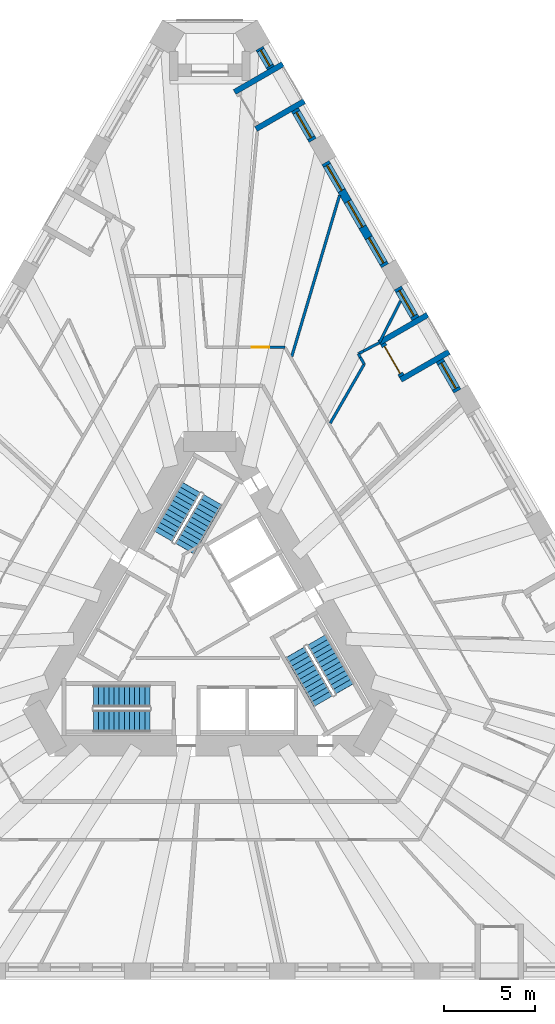
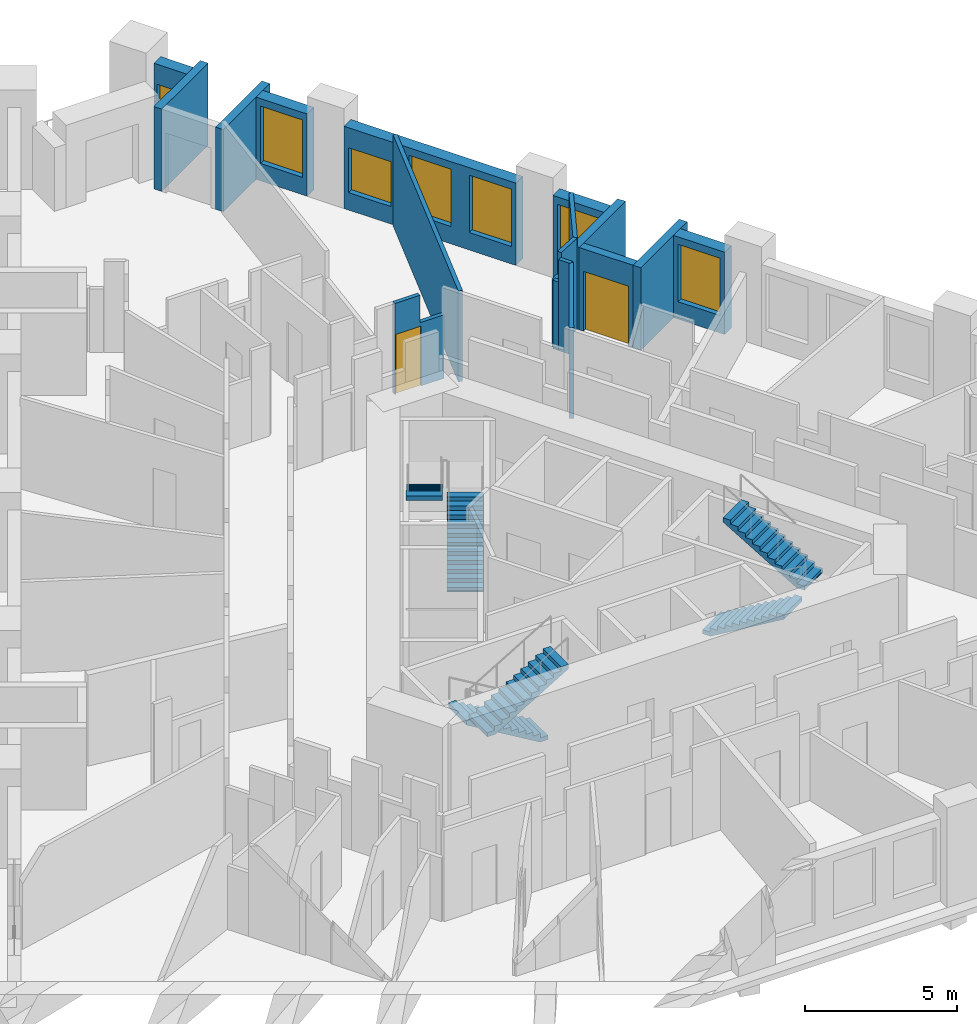
# One storey, part 10 of 14: 18 walls, 7 windows, 6 stair flights, 2 doors, 9 openings, 3 elements without a shape of their own.
"""IFC4 building model written with IfcOpenShell, lengths in metres."""

from ifc_helpers import new_model, si_unit, direction, frame, frame_2d, origin, place, context, subcontext, project, spatial, polyline, rectangle, outline, extrude, material, layer, layer_set, type_object, element, fill, aggregate, save


model = new_model("IFC4")

# Units and contexts
model_context = context("Model", 3, precision=1e-05, world=origin(), true_north=direction((0.0, 1.0)))
body_context = subcontext(model_context, "Body", "Model", "MODEL_VIEW")
ifc_project = project(units=[si_unit("LENGTHUNIT", "METRE"), si_unit("AREAUNIT", "SQUARE_METRE"), si_unit("VOLUMEUNIT", "CUBIC_METRE"), si_unit("PLANEANGLEUNIT", "RADIAN"), si_unit("MASSUNIT", "GRAM", prefix="KILO")], contexts=[model_context])

# Site, building, storey
site_placement = place(None, origin())
site = spatial("IfcSite", under=ifc_project, at=site_placement, CompositionType="ELEMENT")
building_placement = place(site_placement, origin())
building = spatial("IfcBuilding", under=site, at=building_placement, Name="Tramontana Tower", CompositionType="ELEMENT")
storey_placement = place(building_placement, frame((0.0, 0.0, 34.0)))
storey = spatial("IfcBuildingStorey", under=building, at=storey_placement, Name="L06", CompositionType="ELEMENT", Elevation=34.0)

# Wall, opening, window
ifc_material_1 = material(Name="Precast concrete 60 MPa", Category="concrete")
ifc_layer_1 = layer(ifc_material_1, 0.449951171875)
ifc_layer_set_1 = layer_set([ifc_layer_1], Name="Precast concrete 60 MPa, 450 mm")
wall_type_1 = type_object("IfcWallType", Name="EW1 Stone-faced precast wall 450", PredefinedType="SOLIDWALL", material=ifc_layer_set_1)
wall_1_placement = place(storey_placement, frame((13.54052734375, 13.197265625, 0.0), z_axis=(0.0, 0.0, 1.0), x_axis=(-0.500038474733, 0.866003189247, 0.0)))
wall_1 = element("IfcWall", 1, at=wall_1_placement, inside=storey, type_object=wall_type_1, Name="External wall L06 face 2 bay 5", PredefinedType="SOLIDWALL", context=body_context, shape_type="SweptSolid", body=[
    extrude(rectangle(XDim=1.939208984375, YDim=0.449951171875, at=frame_2d((0.9697265625, 0.0))), origin(), (0.0, 0.0, 1.0), 3.300048828125),
])
opening_1_placement = place(wall_1_placement, frame((0.169677734375, 0.0, 0.699951171875)))
opening_1 = element("IfcOpeningElement", 2, at=opening_1_placement, cuts=wall_1, Name="Opening M1", PredefinedType="OPENING", context=body_context, shape_type="SweptSolid", body=[
    extrude(rectangle(XDim=1.60009765625, YDim=2.300048828125, at=frame_2d((0.800048828125, 1.14990234375))), frame((0.0, 0.23486328125, 0.0), z_axis=(0.0, -1.0, 0.0), x_axis=(1.0, 0.0, 0.0)), (0.0, 0.0, 1.0), 0.469970703125),
])
ifc_material_2 = material(Name="Aluminum frame, double glazing unit", Category="aluminium")
window_type_1 = type_object("IfcWindowType", Name="M1 Window 1.6 x 2.3", PartitioningType="SINGLE_PANEL", PredefinedType="WINDOW", material=ifc_material_2)
window_1_placement = place(opening_1_placement, origin())
window_1 = element("IfcWindow", 3, at=window_1_placement, inside=storey, type_object=window_type_1, Name="Window M1 L06 face 2 module 13", OverallHeight=2.300048828125, OverallWidth=1.60009765625, PartitioningType="SINGLE_PANEL", PredefinedType="WINDOW", context=body_context, shape_type="SweptSolid", body=[
    extrude(rectangle(XDim=1.60009765625, YDim=2.300048828125, at=frame_2d((0.800048828125, 1.14990234375))), frame((0.0, 0.030029296875, 0.0), z_axis=(0.0, -1.0, 0.0), x_axis=(1.0, 0.0, 0.0)), (0.0, 0.0, 1.0), 0.06005859375),
])
fill(opening_1, window_1)

wall_2_placement = place(storey_placement, frame((11.251220703125, 17.16259765625, 0.0), z_axis=(0.0, 0.0, 1.0), x_axis=(-0.500038474733, 0.866003189247, 0.0)))
wall_2 = element("IfcWall", 4, at=wall_2_placement, inside=storey, type_object=wall_type_1, Name="External wall L06 face 2 bay 5", PredefinedType="SOLIDWALL", context=body_context, shape_type="SweptSolid", body=[
    extrude(rectangle(XDim=1.939208984375, YDim=0.449951171875, at=frame_2d((0.9697265625, 0.0))), origin(), (0.0, 0.0, 1.0), 3.300048828125),
])
opening_2_placement = place(wall_2_placement, frame((0.169677734375, 0.0, 0.699951171875)))
opening_2 = element("IfcOpeningElement", 5, at=opening_2_placement, cuts=wall_2, Name="Opening M1", PredefinedType="OPENING", context=body_context, shape_type="SweptSolid", body=[
    extrude(rectangle(XDim=1.60009765625, YDim=2.300048828125, at=frame_2d((0.800048828125, 1.14990234375))), frame((0.0, 0.23486328125, 0.0), z_axis=(0.0, -1.0, 0.0), x_axis=(1.0, 0.0, 0.0)), (0.0, 0.0, 1.0), 0.469970703125),
])
window_2_placement = place(opening_2_placement, origin())
window_2 = element("IfcWindow", 6, at=window_2_placement, inside=storey, type_object=window_type_1, Name="Window M1 L06 face 2 module 15", OverallHeight=2.300048828125, OverallWidth=1.60009765625, PartitioningType="SINGLE_PANEL", PredefinedType="WINDOW", context=body_context, shape_type="SweptSolid", body=[
    extrude(rectangle(XDim=1.60009765625, YDim=2.300048828125, at=frame_2d((0.800048828125, 1.14990234375))), frame((0.0, 0.030029296875, 0.0), z_axis=(0.0, -1.0, 0.0), x_axis=(1.0, 0.0, 0.0)), (0.0, 0.0, 1.0), 0.06005859375),
])
fill(opening_2, window_2)

# Wall, openings, windows
wall_3_placement = place(storey_placement, frame((9.58154296875, 20.054443359375, 0.0), z_axis=(0.0, 0.0, 1.0), x_axis=(-0.500002371706, 0.866024034475, 0.0)))
wall_3 = element("IfcWall", 7, at=wall_3_placement, inside=storey, type_object=wall_type_1, Name="External wall L06 face 2 bay 6", PredefinedType="SOLIDWALL", context=body_context, shape_type="SweptSolid", body=[
    extrude(rectangle(XDim=6.51806640625, YDim=0.449951171875, at=frame_2d((3.259033203125, 0.0))), origin(), (0.0, 0.0, 1.0), 3.300048828125),
])
opening_3_placement = place(wall_3_placement, frame((0.169677734375, 0.0, 0.699951171875)))
opening_3 = element("IfcOpeningElement", 8, at=opening_3_placement, cuts=wall_3, Name="Opening M1", PredefinedType="OPENING", context=body_context, shape_type="SweptSolid", body=[
    extrude(rectangle(XDim=1.60009765625, YDim=2.300048828125, at=frame_2d((0.800048828125, 1.14990234375))), frame((0.0, 0.23486328125, 0.0), z_axis=(0.0, -1.0, 0.0), x_axis=(1.0, 0.0, 0.0)), (0.0, 0.0, 1.0), 0.469970703125),
])
opening_4_placement = place(wall_3_placement, frame((2.458984375, 0.0, 0.699951171875)))
opening_4 = element("IfcOpeningElement", 9, at=opening_4_placement, cuts=wall_3, Name="Opening M1", PredefinedType="OPENING", context=body_context, shape_type="SweptSolid", body=[
    extrude(rectangle(XDim=1.60009765625, YDim=2.300048828125, at=frame_2d((0.800048828125, 1.14990234375))), frame((0.0, 0.23486328125, 0.0), z_axis=(0.0, -1.0, 0.0), x_axis=(1.0, 0.0, 0.0)), (0.0, 0.0, 1.0), 0.469970703125),
])
opening_5_placement = place(wall_3_placement, frame((4.748291015625, 0.0, 0.699951171875)))
opening_5 = element("IfcOpeningElement", 10, at=opening_5_placement, cuts=wall_3, Name="Opening M1L", PredefinedType="OPENING", context=body_context, shape_type="SweptSolid", body=[
    extrude(rectangle(XDim=1.60009765625, YDim=1.800048828125, at=frame_2d((0.800048828125, 0.89990234375))), frame((0.0, 0.23486328125, 0.0), z_axis=(0.0, -1.0, 0.0), x_axis=(1.0, 0.0, 0.0)), (0.0, 0.0, 1.0), 0.469970703125),
])
window_3_placement = place(opening_3_placement, origin())
window_3 = element("IfcWindow", 11, at=window_3_placement, inside=storey, type_object=window_type_1, Name="Window M1 L06 face 2 module 16", OverallHeight=2.300048828125, OverallWidth=1.60009765625, PartitioningType="SINGLE_PANEL", PredefinedType="WINDOW", context=body_context, shape_type="SweptSolid", body=[
    extrude(rectangle(XDim=1.60009765625, YDim=2.300048828125, at=frame_2d((0.800048828125, 1.14990234375))), frame((0.0, 0.030029296875, 0.0), z_axis=(0.0, -1.0, 0.0), x_axis=(1.0, 0.0, 0.0)), (0.0, 0.0, 1.0), 0.06005859375),
])
fill(opening_3, window_3)
window_4_placement = place(opening_4_placement, origin())
window_4 = element("IfcWindow", 12, at=window_4_placement, inside=storey, type_object=window_type_1, Name="Window M1 L06 face 2 module 17", OverallHeight=2.300048828125, OverallWidth=1.60009765625, PartitioningType="SINGLE_PANEL", PredefinedType="WINDOW", context=body_context, shape_type="SweptSolid", body=[
    extrude(rectangle(XDim=1.60009765625, YDim=2.300048828125, at=frame_2d((0.800048828125, 1.14990234375))), frame((0.0, 0.030029296875, 0.0), z_axis=(0.0, -1.0, 0.0), x_axis=(1.0, 0.0, 0.0)), (0.0, 0.0, 1.0), 0.06005859375),
])
fill(opening_4, window_4)
ifc_material_3 = material(Name="Aluminum frame, double glazing unit", Category="aluminium")
window_type_2 = type_object("IfcWindowType", Name="M1L Window 1.6 x 1.8", PartitioningType="SINGLE_PANEL", PredefinedType="WINDOW", material=ifc_material_3)
window_5_placement = place(opening_5_placement, origin())
window_5 = element("IfcWindow", 13, at=window_5_placement, inside=storey, type_object=window_type_2, Name="Window M1L L06 face 2 module 18", OverallHeight=1.800048828125, OverallWidth=1.60009765625, PartitioningType="SINGLE_PANEL", PredefinedType="WINDOW", context=body_context, shape_type="SweptSolid", body=[
    extrude(rectangle(XDim=1.60009765625, YDim=1.800048828125, at=frame_2d((0.800048828125, 0.89990234375))), frame((0.0, 0.030029296875, 0.0), z_axis=(0.0, -1.0, 0.0), x_axis=(1.0, 0.0, 0.0)), (0.0, 0.0, 1.0), 0.06005859375),
])
fill(opening_5, window_5)

# Wall, opening, window
wall_4_placement = place(storey_placement, frame((5.62255859375, 26.91162109375, 0.0), z_axis=(0.0, 0.0, 1.0), x_axis=(-0.500038474733, 0.866003189247, 0.0)))
wall_4 = element("IfcWall", 14, at=wall_4_placement, inside=storey, type_object=wall_type_1, Name="External wall L06 face 2 bay 7", PredefinedType="SOLIDWALL", context=body_context, shape_type="SweptSolid", body=[
    extrude(rectangle(XDim=1.939208984375, YDim=0.449951171875, at=frame_2d((0.9697265625, 0.0))), origin(), (0.0, 0.0, 1.0), 3.300048828125),
])
opening_6_placement = place(wall_4_placement, frame((0.169677734375, 0.0, 0.699951171875)))
opening_6 = element("IfcOpeningElement", 15, at=opening_6_placement, cuts=wall_4, Name="Opening M1", PredefinedType="OPENING", context=body_context, shape_type="SweptSolid", body=[
    extrude(rectangle(XDim=1.60009765625, YDim=2.300048828125, at=frame_2d((0.800048828125, 1.14990234375))), frame((0.0, 0.23486328125, 0.0), z_axis=(0.0, -1.0, 0.0), x_axis=(1.0, 0.0, 0.0)), (0.0, 0.0, 1.0), 0.469970703125),
])
window_6_placement = place(opening_6_placement, origin())
window_6 = element("IfcWindow", 16, at=window_6_placement, inside=storey, type_object=window_type_1, Name="Window M1 L06 face 2 module 19", OverallHeight=2.300048828125, OverallWidth=1.60009765625, PartitioningType="SINGLE_PANEL", PredefinedType="WINDOW", context=body_context, shape_type="SweptSolid", body=[
    extrude(rectangle(XDim=1.60009765625, YDim=2.300048828125, at=frame_2d((0.800048828125, 1.14990234375))), frame((0.0, 0.030029296875, 0.0), z_axis=(0.0, -1.0, 0.0), x_axis=(1.0, 0.0, 0.0)), (0.0, 0.0, 1.0), 0.06005859375),
])
fill(opening_6, window_6)

wall_5_placement = place(storey_placement, frame((3.333251953125, 30.876708984375, 0.0), z_axis=(0.0, 0.0, 1.0), x_axis=(-0.499995303914, 0.866028115054, 0.0)))
wall_5 = element("IfcWall", 17, at=wall_5_placement, inside=storey, type_object=wall_type_1, Name="External wall L06 face 2 bay 7", PredefinedType="SOLIDWALL", context=body_context, shape_type="SweptSolid", body=[
    extrude(rectangle(XDim=1.2392578125, YDim=0.449951171875, at=frame_2d((0.61962890625, 0.0))), origin(), (0.0, 0.0, 1.0), 3.300048828125),
])
opening_7_placement = place(wall_5_placement, frame((0.11962890625, 0.0, 0.699951171875)))
opening_7 = element("IfcOpeningElement", 18, at=opening_7_placement, cuts=wall_5, Name="Opening N1L", PredefinedType="OPENING", context=body_context, shape_type="SweptSolid", body=[
    extrude(rectangle(XDim=1.0, YDim=1.800048828125, at=frame_2d((0.5, 0.89990234375))), frame((0.0, 0.23486328125, 0.0), z_axis=(0.0, -1.0, 0.0), x_axis=(1.0, 0.0, 0.0)), (0.0, 0.0, 1.0), 0.469970703125),
])
ifc_material_4 = material(Name="Aluminum frame, double glazing unit", Category="aluminium")
window_type_3 = type_object("IfcWindowType", Name="N1L Window 1 x 1.8", PartitioningType="SINGLE_PANEL", PredefinedType="WINDOW", material=ifc_material_4)
window_7_placement = place(opening_7_placement, origin())
window_7 = element("IfcWindow", 19, at=window_7_placement, inside=storey, type_object=window_type_3, Name="Window N1L L06 face 2 module 21", OverallHeight=1.800048828125, OverallWidth=1.0, PartitioningType="SINGLE_PANEL", PredefinedType="WINDOW", context=body_context, shape_type="SweptSolid", body=[
    extrude(rectangle(XDim=1.0, YDim=1.800048828125, at=frame_2d((0.5, 0.89990234375))), frame((0.0, 0.030029296875, 0.0), z_axis=(0.0, -1.0, 0.0), x_axis=(1.0, 0.0, 0.0)), (0.0, 0.0, 1.0), 0.06005859375),
])
fill(opening_7, window_7)

# Wall, opening, door
ifc_material_5 = material(Name="Precast concrete 60 MPa", Category="concrete")
ifc_layer_2 = layer(ifc_material_5, 0.300048828125)
ifc_layer_set_2 = layer_set([ifc_layer_2], Name="LW1 Stone-faced loggia wall 300")
wall_type_2 = type_object("IfcWallType", Name="LW1 Stone-faced loggia wall 300", PredefinedType="SOLIDWALL", material=ifc_layer_set_2)
wall_6_placement = place(storey_placement, frame((10.493896484375, 14.024169921875, 0.0), z_axis=(0.0, 0.0, 1.0), x_axis=(-0.500040236659, 0.866002171892, 0.0)))
wall_6 = element("IfcWall", 20, at=wall_6_placement, inside=storey, type_object=wall_type_2, Name="Loggia wall L06 G0S2.13", PredefinedType="SOLIDWALL", context=body_context, shape_type="SweptSolid", body=[
    extrude(rectangle(XDim=2.039306640625, YDim=0.300048828125, at=frame_2d((1.01953125, 0.0))), origin(), (0.0, 0.0, 1.0), 3.300048828125),
])
opening_8_placement = place(wall_6_placement, frame((0.169677734375, 0.0, 0.0)))
opening_8 = element("IfcOpeningElement", 21, at=opening_8_placement, cuts=wall_6, Name="Opening BD-0S2-13", PredefinedType="OPENING", context=body_context, shape_type="SweptSolid", body=[
    extrude(rectangle(XDim=1.699951171875, YDim=2.39990234375, at=frame_2d((0.85009765625, 1.199951171875))), frame((0.0, 0.159912109375, 0.0), z_axis=(0.0, -1.0, 0.0), x_axis=(1.0, 0.0, 0.0)), (0.0, 0.0, 1.0), 0.320068359375),
])
ifc_material_6 = material(Name="Aluminum frame, double glazing unit", Category="aluminium")
door_type_1 = type_object("IfcDoorType", Name="BD1 Sliding door 1.7 x 2.4", OperationType="SLIDING_TO_LEFT", PredefinedType="DOOR", material=ifc_material_6)
door_1_placement = place(opening_8_placement, origin())
door_1 = element("IfcDoor", 22, at=door_1_placement, inside=storey, type_object=door_type_1, Name="Loggia door L06 G0S2.13", OperationType="SLIDING_TO_LEFT", OverallHeight=2.39990234375, OverallWidth=1.699951171875, PredefinedType="DOOR", context=body_context, shape_type="SweptSolid", body=[
    extrude(rectangle(XDim=1.699951171875, YDim=2.39990234375, at=frame_2d((0.85009765625, 1.199951171875))), frame((0.0, 0.02490234375, 0.0), z_axis=(0.0, -1.0, 0.0), x_axis=(1.0, 0.0, 0.0)), (0.0, 0.0, 1.0), 0.050048828125),
])
fill(opening_8, door_1)

# Walls
for number, where, z_axis, x_axis, name in (
    (23, (13.080322265625, 15.34423828125, 0.0), (0.0, 0.0, 1.0), (-0.8660029625, -0.500038867431, 0.0), "Loggia return L06 G0S2.13a"),
    (24, (11.91064453125, 17.3701171875, 0.0), (0.0, 0.0, 1.0), (-0.866037623948, -0.499978833458, 0.0), "Loggia return L06 G0S2.13b"),
    (25, (5.162353515625, 29.05859375, 0.0), (0.0, 0.0, 1.0), (-0.8660029625, -0.500038867431, 0.0), "Loggia return L06 G0S2.19a"),
    (26, (3.99267578125, 31.08447265625, 0.0), (0.0, 0.0, 1.0), (-0.8660029625, -0.500038867431, 0.0), "Loggia return L06 G0S2.19b"),
):
    element("IfcWall", number, at=place(storey_placement, frame(where, z_axis=z_axis, x_axis=x_axis)), inside=storey, type_object=wall_type_2, Name=name, PredefinedType="SOLIDWALL", context=body_context, shape_type="SweptSolid", body=[
        extrude(rectangle(XDim=3.050048828125, YDim=0.300048828125, at=frame_2d((1.52490234375, 0.0))), origin(), (0.0, 0.0, 1.0), 3.300048828125),
    ])

# Wall, opening, door
ifc_material_7 = material(Name="Gypsum board partition")
ifc_layer_3 = layer(ifc_material_7, 0.14990234375)
ifc_layer_set_3 = layer_set([ifc_layer_3], Name="PARTITION 150")
wall_type_3 = type_object("IfcWallType", Name="PARTITION 150", PredefinedType="PARTITIONING", material=ifc_layer_set_3)
wall_7_placement = place(storey_placement, frame((2.241943359375, 15.60009765625, 0.0), z_axis=(0.0, 0.0, 1.0), x_axis=(1.0, 0.0, 0.0)))
wall_7 = element("IfcWall", 27, at=wall_7_placement, inside=storey, type_object=wall_type_3, Name="Wall v01-pw32-3", PredefinedType="PARTITIONING", context=body_context, shape_type="SweptSolid", body=[
    extrude(outline(polyline([(0.0, 0.0), (1.857177734375, 0.0), (1.857177734375, 2.550048828125), (0.95068359375, 2.550048828125), (0.95068359375, 3.64990234375), (0.0, 3.64990234375), (0.0, 0.0)])), frame((0.0, 0.074951171875, 0.0), z_axis=(0.0, -1.0, 0.0), x_axis=(1.0, 0.0, 0.0)), (0.0, 0.0, 1.0), 0.14990234375),
])
opening_9_placement = place(wall_7_placement, frame((0.050048828125, 0.0, 0.0)))
opening_9 = element("IfcOpeningElement", 28, at=opening_9_placement, cuts=wall_7, Name="Opening B0B-04", PredefinedType="OPENING", context=body_context, shape_type="SweptSolid", body=[
    extrude(rectangle(XDim=0.949951171875, YDim=2.39990234375, at=frame_2d((0.47509765625, 1.199951171875))), frame((0.0, 0.0849609375, 0.0), z_axis=(0.0, -1.0, 0.0), x_axis=(1.0, 0.0, 0.0)), (0.0, 0.0, 1.0), 0.169921875),
])
ifc_material_8 = material(Name="Painted timber", Category="wood")
door_type_2 = type_object("IfcDoorType", Name="DOOR ROOM 950", OperationType="SINGLE_SWING_LEFT", PredefinedType="DOOR", material=ifc_material_8)
door_2_placement = place(opening_9_placement, origin())
door_2 = element("IfcDoor", 29, at=door_2_placement, inside=storey, type_object=door_type_2, Name="Door B0B-04", OperationType="SINGLE_SWING_RIGHT", OverallHeight=2.39990234375, OverallWidth=0.949951171875, PredefinedType="DOOR", context=body_context, shape_type="SweptSolid", body=[
    extrude(rectangle(XDim=0.949951171875, YDim=2.39990234375, at=frame_2d((0.47509765625, 1.199951171875))), frame((0.0, 0.02490234375, 0.0), z_axis=(0.0, -1.0, 0.0), x_axis=(1.0, 0.0, 0.0)), (0.0, 0.0, 1.0), 0.050048828125),
])
fill(opening_9, door_2)

# Walls
wall_8_placement = place(storey_placement, frame((7.09716796875, 23.9072265625, 0.0), z_axis=(0.0, 0.0, 1.0), x_axis=(-0.284572748927, -0.958654447947, 0.0)))
element("IfcWall", 30, at=wall_8_placement, inside=storey, type_object=wall_type_3, Name="Wall v01-pw36", PredefinedType="PARTITIONING", context=body_context, shape_type="SweptSolid", body=[
    extrude(rectangle(XDim=9.197021484375, YDim=0.14990234375, at=frame_2d((4.5986328125, 0.0))), origin(), (0.0, 0.0, 1.0), 3.64990234375),
])
wall_9_placement = place(storey_placement, frame((8.119140625, 15.23681640625, 0.0), z_axis=(0.0, 0.0, 1.0), x_axis=(0.500145924473, -0.865941137857, 0.0)))
element("IfcWall", 31, at=wall_9_placement, inside=storey, type_object=wall_type_3, Name="Wall v01-pw38-0", PredefinedType="PARTITIONING", context=body_context, shape_type="SweptSolid", body=[
    extrude(rectangle(XDim=0.21630859375, YDim=0.14990234375, at=frame_2d((0.108154296875, 0.0))), origin(), (0.0, 0.0, 1.0), 2.75),
])
wall_10_placement = place(storey_placement, frame((8.227294921875, 15.049560546875, 0.0), z_axis=(0.0, 0.0, 1.0), x_axis=(0.500062521093, -0.865989304205, 0.0)))
element("IfcWall", 32, at=wall_10_placement, inside=storey, type_object=wall_type_3, Name="Wall v01-pw38-1", PredefinedType="PARTITIONING", context=body_context, shape_type="SweptSolid", body=[
    extrude(rectangle(XDim=0.43505859375, YDim=0.14990234375, at=frame_2d((0.217529296875, 0.0))), origin(), (0.0, 0.0, 1.0), 3.64990234375),
])
wall_11_placement = place(storey_placement, frame((8.44482421875, 14.672607421875, 0.0), z_axis=(0.0, 0.0, 1.0), x_axis=(-0.498831737115, -0.86669885084, 0.0)))
element("IfcWall", 33, at=wall_11_placement, inside=storey, type_object=wall_type_3, Name="Wall v01-pw39", PredefinedType="PARTITIONING", context=body_context, shape_type="SweptSolid", body=[
    extrude(rectangle(XDim=3.7265625, YDim=0.14990234375, at=frame_2d((1.86328125, 0.0))), origin(), (0.0, 0.0, 1.0), 3.64990234375),
])
wall_12_placement = place(storey_placement, frame((9.269287109375, 15.84521484375, 0.0), z_axis=(0.0, 0.0, 1.0), x_axis=(-0.884599014188, -0.46635242478, 0.0)))
element("IfcWall", 34, at=wall_12_placement, inside=storey, type_object=wall_type_3, Name="Wall v01-pw42-0", PredefinedType="PARTITIONING", context=body_context, shape_type="SweptSolid", body=[
    extrude(rectangle(XDim=0.9794921875, YDim=0.14990234375, at=frame_2d((0.48974609375, 0.0))), origin(), (0.0, 0.0, 1.0), 3.64990234375),
])
wall_13_placement = place(storey_placement, frame((8.40283203125, 15.388427734375, 0.0), z_axis=(0.0, 0.0, 1.0), x_axis=(-0.884918222382, -0.465746432833, 0.0)))
element("IfcWall", 35, at=wall_13_placement, inside=storey, type_object=wall_type_3, Name="Wall v01-pw42-1", PredefinedType="PARTITIONING", context=body_context, shape_type="SweptSolid", body=[
    extrude(rectangle(XDim=0.31982421875, YDim=0.14990234375, at=frame_2d((0.159912109375, 0.0))), origin(), (0.0, 0.0, 1.0), 2.75),
])
wall_14_placement = place(storey_placement, frame((10.43359375, 18.12841796875, 0.0), z_axis=(0.0, 0.0, 1.0), x_axis=(-0.45428677253, -0.890855503606, 0.0)))
element("IfcWall", 36, at=wall_14_placement, inside=storey, type_object=wall_type_3, Name="Wall v01-pw44", PredefinedType="PARTITIONING", context=body_context, shape_type="SweptSolid", body=[
    extrude(rectangle(XDim=2.56298828125, YDim=0.14990234375, at=frame_2d((1.281494140625, 0.0))), origin(), (0.0, 0.0, 1.0), 3.64990234375),
])

# Stair, stair flights
ifc_material_9 = material(Name="Concrete 40 MPa", Category="concrete")
stair_type = type_object("IfcStairType", Name="EXIT STAIR 24 RISERS", PredefinedType="HALF_TURN_STAIR", material=ifc_material_9)
stair_1_placement = place(storey_placement, origin())
stair_1 = element("IfcStair", 37, at=stair_1_placement, inside=storey, type_object=stair_type, Name="L06 Exit stair ST1", PredefinedType="HALF_TURN_STAIR")
ifc_material_10 = material(Name="Concrete 40 MPa", Category="concrete")
ifc_layer_4 = layer(ifc_material_10, 0.14990234375)
ifc_layer_set_4 = layer_set([ifc_layer_4], Name="EXIT STAIR FLIGHT")
stair_flight_type = type_object("IfcStairFlightType", Name="EXIT STAIR FLIGHT", PredefinedType="STRAIGHT", material=ifc_layer_set_4)
stair_flight_1_placement = place(storey_placement, frame((-1.39111328125, 4.590576171875, 0.0), z_axis=(0.0, 0.0, 1.0), x_axis=(0.5, 0.866025403784, 0.0)))
stair_flight_1 = element("IfcStairFlight", 38, at=stair_flight_1_placement, type_object=stair_flight_type, Name="ST1 flight 1", NumberOfRisers=12, NumberOfTreads=11, PredefinedType="STRAIGHT", RiserHeight=0.166666667, TreadLength=0.28, context=body_context, shape_type="SweptSolid", body=[
    extrude(outline(polyline([(-0.006103515625, 0.0), (-0.006103515625, 0.0400390625), (0.0, 0.0400390625), (0.0, 0.166748046875), (0.280029296875, 0.166748046875), (0.280029296875, 0.333251953125), (0.56005859375, 0.333251953125), (0.56005859375, 0.5), (0.840087890625, 0.5), (0.840087890625, 0.666748046875), (1.1201171875, 0.666748046875), (1.1201171875, 0.833251953125), (1.39990234375, 0.833251953125), (1.39990234375, 1.0), (1.679931640625, 1.0), (1.679931640625, 1.166748046875), (1.9599609375, 1.166748046875), (1.9599609375, 1.333251953125), (2.239990234375, 1.333251953125), (2.239990234375, 1.5), (2.52001953125, 1.5), (2.52001953125, 1.666748046875), (2.800048828125, 1.666748046875), (2.800048828125, 1.833251953125), (3.080078125, 1.833251953125), (3.0859375, 1.833251953125), (3.0859375, 1.658935546875), (0.299072265625, 0.0), (-0.006103515625, 0.0)])), frame((0.0, 0.60009765625, 0.0), z_axis=(0.0, -1.0, 0.0), x_axis=(1.0, 0.0, 0.0)), (0.0, 0.0, 1.0), 1.199951171875),
])
stair_flight_2_placement = place(storey_placement, frame((-1.020263671875, 7.932861328125, 2.0), z_axis=(0.0, 0.0, 1.0), x_axis=(-0.5, -0.866025403784, 0.0)))
stair_flight_2 = element("IfcStairFlight", 39, at=stair_flight_2_placement, type_object=stair_flight_type, Name="ST1 flight 2", NumberOfRisers=12, NumberOfTreads=11, PredefinedType="STRAIGHT", RiserHeight=0.166666667, TreadLength=0.28, context=body_context, shape_type="SweptSolid", body=[
    extrude(outline(polyline([(-0.006103515625, 0.0), (-0.006103515625, 0.0400390625), (0.0, 0.0400390625), (0.0, 0.166748046875), (0.280029296875, 0.166748046875), (0.280029296875, 0.333251953125), (0.56005859375, 0.333251953125), (0.56005859375, 0.5), (0.840087890625, 0.5), (0.840087890625, 0.666748046875), (1.1201171875, 0.666748046875), (1.1201171875, 0.833251953125), (1.39990234375, 0.833251953125), (1.39990234375, 1.0), (1.679931640625, 1.0), (1.679931640625, 1.166748046875), (1.9599609375, 1.166748046875), (1.9599609375, 1.333251953125), (2.239990234375, 1.333251953125), (2.239990234375, 1.5), (2.52001953125, 1.5), (2.52001953125, 1.666748046875), (2.800048828125, 1.666748046875), (2.800048828125, 1.833251953125), (3.080078125, 1.833251953125), (3.0859375, 1.833251953125), (3.0859375, 1.658935546875), (0.299072265625, 0.0), (-0.006103515625, 0.0)])), frame((0.0, 0.60009765625, 0.0), z_axis=(0.0, -1.0, 0.0), x_axis=(1.0, 0.0, 0.0)), (0.0, 0.0, 1.0), 1.199951171875),
])
aggregate(stair_1, [stair_flight_1, stair_flight_2])

stair_2_placement = place(storey_placement, origin())
stair_2 = element("IfcStair", 40, at=stair_2_placement, inside=storey, type_object=stair_type, Name="L06 Exit stair ST2", PredefinedType="HALF_TURN_STAIR")
stair_flight_3_placement = place(storey_placement, frame((-3.280029296875, -3.5, 0.0), z_axis=(0.0, 0.0, 1.0), x_axis=(-1.0, 0.0, 0.0)))
stair_flight_3 = element("IfcStairFlight", 41, at=stair_flight_3_placement, type_object=stair_flight_type, Name="ST2 flight 1", NumberOfRisers=12, NumberOfTreads=11, PredefinedType="STRAIGHT", RiserHeight=0.166666667, TreadLength=0.28, context=body_context, shape_type="SweptSolid", body=[
    extrude(outline(polyline([(-0.006103515625, 0.0), (-0.006103515625, 0.0400390625), (0.0, 0.0400390625), (0.0, 0.166748046875), (0.280029296875, 0.166748046875), (0.280029296875, 0.333251953125), (0.56005859375, 0.333251953125), (0.56005859375, 0.5), (0.840087890625, 0.5), (0.840087890625, 0.666748046875), (1.1201171875, 0.666748046875), (1.1201171875, 0.833251953125), (1.39990234375, 0.833251953125), (1.39990234375, 1.0), (1.679931640625, 1.0), (1.679931640625, 1.166748046875), (1.9599609375, 1.166748046875), (1.9599609375, 1.333251953125), (2.239990234375, 1.333251953125), (2.239990234375, 1.5), (2.52001953125, 1.5), (2.52001953125, 1.666748046875), (2.800048828125, 1.666748046875), (2.800048828125, 1.833251953125), (3.080078125, 1.833251953125), (3.0859375, 1.833251953125), (3.0859375, 1.658935546875), (0.299072265625, 0.0), (-0.006103515625, 0.0)])), frame((0.0, 0.60009765625, 0.0), z_axis=(0.0, -1.0, 0.0), x_axis=(1.0, 0.0, 0.0)), (0.0, 0.0, 1.0), 1.199951171875),
])
stair_flight_4_placement = place(storey_placement, frame((-6.360107421875, -4.85009765625, 2.0), z_axis=(0.0, 0.0, 1.0), x_axis=(1.0, 0.0, 0.0)))
stair_flight_4 = element("IfcStairFlight", 42, at=stair_flight_4_placement, type_object=stair_flight_type, Name="ST2 flight 2", NumberOfRisers=12, NumberOfTreads=11, PredefinedType="STRAIGHT", RiserHeight=0.166666667, TreadLength=0.28, context=body_context, shape_type="SweptSolid", body=[
    extrude(outline(polyline([(-0.006103515625, 0.0), (-0.006103515625, 0.0400390625), (0.0, 0.0400390625), (0.0, 0.166748046875), (0.280029296875, 0.166748046875), (0.280029296875, 0.333251953125), (0.56005859375, 0.333251953125), (0.56005859375, 0.5), (0.840087890625, 0.5), (0.840087890625, 0.666748046875), (1.1201171875, 0.666748046875), (1.1201171875, 0.833251953125), (1.39990234375, 0.833251953125), (1.39990234375, 1.0), (1.679931640625, 1.0), (1.679931640625, 1.166748046875), (1.9599609375, 1.166748046875), (1.9599609375, 1.333251953125), (2.239990234375, 1.333251953125), (2.239990234375, 1.5), (2.52001953125, 1.5), (2.52001953125, 1.666748046875), (2.800048828125, 1.666748046875), (2.800048828125, 1.833251953125), (3.080078125, 1.833251953125), (3.0859375, 1.833251953125), (3.0859375, 1.658935546875), (0.299072265625, 0.0), (-0.006103515625, 0.0)])), frame((0.0, 0.60009765625, 0.0), z_axis=(0.0, -1.0, 0.0), x_axis=(1.0, 0.0, 0.0)), (0.0, 0.0, 1.0), 1.199951171875),
])
aggregate(stair_2, [stair_flight_3, stair_flight_4])

stair_3_placement = place(storey_placement, origin())
stair_3 = element("IfcStair", 43, at=stair_3_placement, inside=storey, type_object=stair_type, Name="L06 Exit stair ST3", PredefinedType="HALF_TURN_STAIR")
stair_flight_5_placement = place(storey_placement, frame((4.671142578125, -1.090576171875, 0.0), z_axis=(0.0, 0.0, 1.0), x_axis=(0.5, -0.866025403784, 0.0)))
stair_flight_5 = element("IfcStairFlight", 44, at=stair_flight_5_placement, type_object=stair_flight_type, Name="ST3 flight 1", NumberOfRisers=12, NumberOfTreads=11, PredefinedType="STRAIGHT", RiserHeight=0.166666667, TreadLength=0.28, context=body_context, shape_type="SweptSolid", body=[
    extrude(outline(polyline([(-0.006103515625, 0.0), (-0.006103515625, 0.0400390625), (0.0, 0.0400390625), (0.0, 0.166748046875), (0.280029296875, 0.166748046875), (0.280029296875, 0.333251953125), (0.56005859375, 0.333251953125), (0.56005859375, 0.5), (0.840087890625, 0.5), (0.840087890625, 0.666748046875), (1.1201171875, 0.666748046875), (1.1201171875, 0.833251953125), (1.39990234375, 0.833251953125), (1.39990234375, 1.0), (1.679931640625, 1.0), (1.679931640625, 1.166748046875), (1.9599609375, 1.166748046875), (1.9599609375, 1.333251953125), (2.239990234375, 1.333251953125), (2.239990234375, 1.5), (2.52001953125, 1.5), (2.52001953125, 1.666748046875), (2.800048828125, 1.666748046875), (2.800048828125, 1.833251953125), (3.080078125, 1.833251953125), (3.0859375, 1.833251953125), (3.0859375, 1.658935546875), (0.299072265625, 0.0), (-0.006103515625, 0.0)])), frame((0.0, 0.60009765625, 0.0), z_axis=(0.0, -1.0, 0.0), x_axis=(1.0, 0.0, 0.0)), (0.0, 0.0, 1.0), 1.199951171875),
])
stair_flight_6_placement = place(storey_placement, frame((7.380126953125, -3.0830078125, 2.0), z_axis=(0.0, 0.0, 1.0), x_axis=(-0.5, 0.866025403784, 0.0)))
stair_flight_6 = element("IfcStairFlight", 45, at=stair_flight_6_placement, type_object=stair_flight_type, Name="ST3 flight 2", NumberOfRisers=12, NumberOfTreads=11, PredefinedType="STRAIGHT", RiserHeight=0.166666667, TreadLength=0.28, context=body_context, shape_type="SweptSolid", body=[
    extrude(outline(polyline([(-0.006103515625, 0.0), (-0.006103515625, 0.0400390625), (0.0, 0.0400390625), (0.0, 0.166748046875), (0.280029296875, 0.166748046875), (0.280029296875, 0.333251953125), (0.56005859375, 0.333251953125), (0.56005859375, 0.5), (0.840087890625, 0.5), (0.840087890625, 0.666748046875), (1.1201171875, 0.666748046875), (1.1201171875, 0.833251953125), (1.39990234375, 0.833251953125), (1.39990234375, 1.0), (1.679931640625, 1.0), (1.679931640625, 1.166748046875), (1.9599609375, 1.166748046875), (1.9599609375, 1.333251953125), (2.239990234375, 1.333251953125), (2.239990234375, 1.5), (2.52001953125, 1.5), (2.52001953125, 1.666748046875), (2.800048828125, 1.666748046875), (2.800048828125, 1.833251953125), (3.080078125, 1.833251953125), (3.0859375, 1.833251953125), (3.0859375, 1.658935546875), (0.299072265625, 0.0), (-0.006103515625, 0.0)])), frame((0.0, 0.60009765625, 0.0), z_axis=(0.0, -1.0, 0.0), x_axis=(1.0, 0.0, 0.0)), (0.0, 0.0, 1.0), 1.199951171875),
])
aggregate(stair_3, [stair_flight_5, stair_flight_6])

save(model, "model.ifc")
